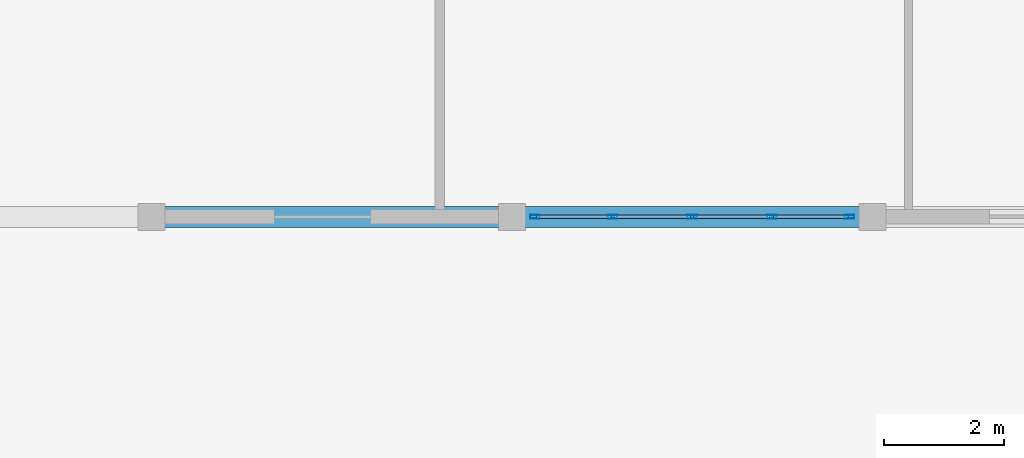
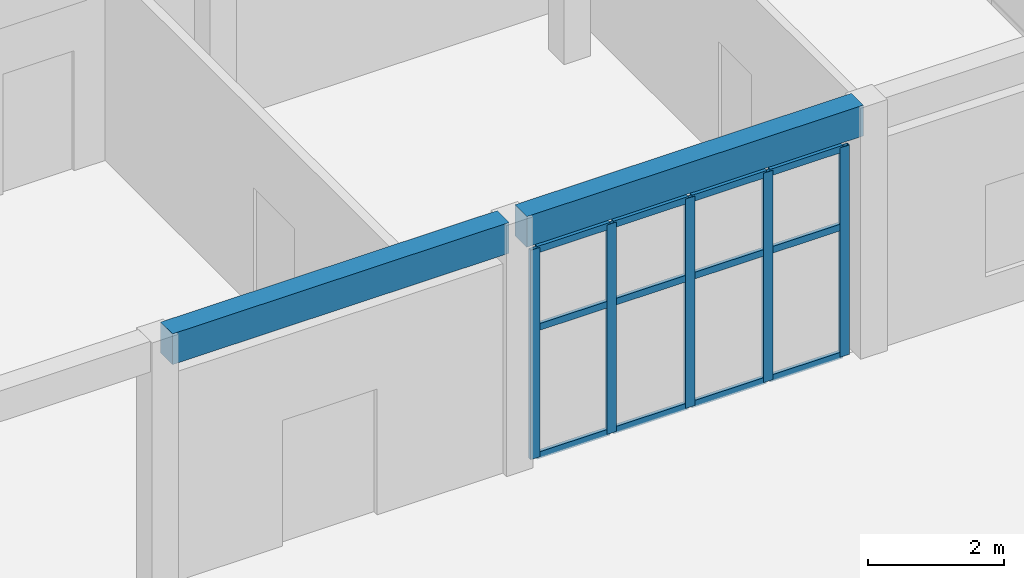
# One storey, part 45 of 132: 17 members, 2 beams, 1 element without a shape of its own.
"""IFC4 building model written with IfcOpenShell, lengths in metres."""

from ifc_helpers import new_model, si_unit, direction, frame, origin, origin_2d, place, context, subcontext, project, spatial, rectangle, hollow_rectangle, extrude, material, material_profile, profile_set, type_object, element, aggregate, save


model = new_model("IFC4")

# Units and contexts
model_context = context("Model", 3, precision=1e-05, world=origin(), true_north=direction((0.0, 1.0)))
body_context = subcontext(model_context, "Body", "Model", "MODEL_VIEW")
ifc_project = project(units=[si_unit("LENGTHUNIT", "METRE"), si_unit("AREAUNIT", "SQUARE_METRE"), si_unit("VOLUMEUNIT", "CUBIC_METRE"), si_unit("PLANEANGLEUNIT", "RADIAN"), si_unit("MASSUNIT", "GRAM", prefix="KILO")], contexts=[model_context])

# Site, building, storey
site_placement = place(None, origin())
site = spatial("IfcSite", under=ifc_project, at=site_placement, CompositionType="ELEMENT")
building_placement = place(site_placement, origin())
building = spatial("IfcBuilding", under=site, at=building_placement, Name="Tanwirah Colonnade Gardens", CompositionType="ELEMENT")
storey_placement = place(building_placement, origin())
storey = spatial("IfcBuildingStorey", under=building, at=storey_placement, Name="L00", CompositionType="ELEMENT", Elevation=0.0)

# Beams
ifc_material_1 = material(Name="Precast concrete C40/50", Category="concrete")
ifc_material_profile_1 = material_profile(ifc_material_1, rectangle(XDim=0.35009765625, YDim=0.550048828125, at=origin_2d()), Name="PC-BM 350x550")
ifc_profile_set_1 = profile_set([ifc_material_profile_1], Name="Precast concrete C40/50")
beam_type = type_object("IfcBeamType", Name="BM-PC350A", PredefinedType="BEAM", material=ifc_profile_set_1)
for number, where, z_axis, x_axis, name in (
    (1, (90.14990234375, 92.0, 4.219970703125), (1.0, 0.0, 0.0), (0.0, 1.0, 0.0), "Nursery L00 Beam X-2.0"),
    (2, (96.14990234375, 92.0, 4.219970703125), (1.0, 0.0, 0.0), (0.0, 1.0, 0.0), "Nursery L00 Beam X-3.0"),
):
    element("IfcBeam", number, at=place(storey_placement, frame(where, z_axis=z_axis, x_axis=x_axis)), inside=storey, type_object=beam_type, Name=name, PredefinedType="BEAM", context=body_context, shape_type="SweptSolid", body=[
        extrude(rectangle(XDim=0.35009765625, YDim=0.550048828125, at=origin_2d()), origin(), (0.0, 0.0, 1.0), 5.7001953125),
    ])

# Curtain wall, members
ifc_material_2 = material(Name="Bronze-anodised aluminium and solar-control low-E glass", Category="aluminium")
curtain_wall_type = type_object("IfcCurtainWallType", Name="CW-NUR", PredefinedType="NOTDEFINED", material=ifc_material_2)
curtain_wall_placement = place(storey_placement, origin())
curtain_wall = element("IfcCurtainWall", 3, at=curtain_wall_placement, inside=storey, type_object=curtain_wall_type, Name="Curtain Wall CW-NUR-L00-S-3", PredefinedType="NOTDEFINED")
ifc_material_3 = material(Name="Bronze-anodised aluminium", Category="aluminium")
ifc_material_profile_2 = material_profile(ifc_material_3, hollow_rectangle(XDim=0.06005859375, YDim=0.159912109375, WallThickness=0.00390625, at=origin_2d()), Name="CW-MUL 60x160x4")
ifc_profile_set_2 = profile_set([ifc_material_profile_2], Name="Bronze-anodised aluminium")
member_type_1 = type_object("IfcMemberType", Name="CWM-60x160", PredefinedType="MULLION", material=ifc_profile_set_2)
member_1_placement = place(storey_placement, frame((96.3798828125, 92.0, 0.0), z_axis=(0.0, 0.0, 1.0), x_axis=(0.0, 1.0, 0.0)))
member_1 = element("IfcMember", 4, at=member_1_placement, type_object=member_type_1, Name="CW-NUR mullion 1", PredefinedType="MULLION", context=body_context, shape_type="SweptSolid", body=[
    extrude(hollow_rectangle(XDim=0.06005859375, YDim=0.159912109375, WallThickness=0.00390625, at=origin_2d()), origin(), (0.0, 0.0, 1.0), 3.75),
])
member_2_placement = place(storey_placement, frame((97.675048828125, 92.0, 0.0), z_axis=(0.0, 0.0, 1.0), x_axis=(0.0, 1.0, 0.0)))
member_2 = element("IfcMember", 5, at=member_2_placement, type_object=member_type_1, Name="CW-NUR mullion 2", PredefinedType="MULLION", context=body_context, shape_type="SweptSolid", body=[
    extrude(hollow_rectangle(XDim=0.06005859375, YDim=0.159912109375, WallThickness=0.00390625, at=origin_2d()), origin(), (0.0, 0.0, 1.0), 3.75),
])
member_3_placement = place(storey_placement, frame((99.0, 92.0, 0.0), z_axis=(0.0, 0.0, 1.0), x_axis=(0.0, 1.0, 0.0)))
member_3 = element("IfcMember", 6, at=member_3_placement, type_object=member_type_1, Name="CW-NUR mullion 3", PredefinedType="MULLION", context=body_context, shape_type="SweptSolid", body=[
    extrude(hollow_rectangle(XDim=0.06005859375, YDim=0.159912109375, WallThickness=0.00390625, at=origin_2d()), origin(), (0.0, 0.0, 1.0), 3.75),
])
member_4_placement = place(storey_placement, frame((100.324951171875, 92.0, 0.0), z_axis=(0.0, 0.0, 1.0), x_axis=(0.0, 1.0, 0.0)))
member_4 = element("IfcMember", 7, at=member_4_placement, type_object=member_type_1, Name="CW-NUR mullion 4", PredefinedType="MULLION", context=body_context, shape_type="SweptSolid", body=[
    extrude(hollow_rectangle(XDim=0.06005859375, YDim=0.159912109375, WallThickness=0.00390625, at=origin_2d()), origin(), (0.0, 0.0, 1.0), 3.75),
])
member_5_placement = place(storey_placement, frame((101.6201171875, 92.0, 0.0), z_axis=(0.0, 0.0, 1.0), x_axis=(0.0, 1.0, 0.0)))
member_5 = element("IfcMember", 8, at=member_5_placement, type_object=member_type_1, Name="CW-NUR mullion 5", PredefinedType="MULLION", context=body_context, shape_type="SweptSolid", body=[
    extrude(hollow_rectangle(XDim=0.06005859375, YDim=0.159912109375, WallThickness=0.00390625, at=origin_2d()), origin(), (0.0, 0.0, 1.0), 3.75),
])
ifc_material_profile_3 = material_profile(ifc_material_3, hollow_rectangle(XDim=0.06005859375, YDim=0.1201171875, WallThickness=0.00390625, at=origin_2d()), Name="CW-TRN 60x120x4")
ifc_profile_set_3 = profile_set([ifc_material_profile_3], Name="Bronze-anodised aluminium")
member_type_2 = type_object("IfcMemberType", Name="CWT-60x120", PredefinedType="USERDEFINED", material=ifc_profile_set_3)
member_6_placement = place(storey_placement, frame((96.409912109375, 92.0, 0.030029296875), z_axis=(1.0, 0.0, 0.0), x_axis=(0.0, 1.0, 0.0)))
member_6 = element("IfcMember", 9, at=member_6_placement, type_object=member_type_2, Name="CW-NUR transom 1.1", ObjectType="TRANSOM", PredefinedType="USERDEFINED", context=body_context, shape_type="SweptSolid", body=[
    extrude(hollow_rectangle(XDim=0.06005859375, YDim=0.1201171875, WallThickness=0.00390625, at=origin_2d()), origin(), (0.0, 0.0, 1.0), 1.235107421875),
])
member_7_placement = place(storey_placement, frame((96.409912109375, 92.0, 2.324951171875), z_axis=(1.0, 0.0, 0.0), x_axis=(0.0, 1.0, 0.0)))
member_7 = element("IfcMember", 10, at=member_7_placement, type_object=member_type_2, Name="CW-NUR transom 1.2", ObjectType="TRANSOM", PredefinedType="USERDEFINED", context=body_context, shape_type="SweptSolid", body=[
    extrude(hollow_rectangle(XDim=0.06005859375, YDim=0.1201171875, WallThickness=0.00390625, at=origin_2d()), origin(), (0.0, 0.0, 1.0), 1.235107421875),
])
member_8_placement = place(storey_placement, frame((96.409912109375, 92.0, 3.719970703125), z_axis=(1.0, 0.0, 0.0), x_axis=(0.0, 1.0, 0.0)))
member_8 = element("IfcMember", 11, at=member_8_placement, type_object=member_type_2, Name="CW-NUR transom 1.3", ObjectType="TRANSOM", PredefinedType="USERDEFINED", context=body_context, shape_type="SweptSolid", body=[
    extrude(hollow_rectangle(XDim=0.06005859375, YDim=0.1201171875, WallThickness=0.00390625, at=origin_2d()), origin(), (0.0, 0.0, 1.0), 1.235107421875),
])
member_9_placement = place(storey_placement, frame((97.705078125, 92.0, 0.030029296875), z_axis=(1.0, 0.0, 0.0), x_axis=(0.0, 1.0, 0.0)))
member_9 = element("IfcMember", 12, at=member_9_placement, type_object=member_type_2, Name="CW-NUR transom 2.1", ObjectType="TRANSOM", PredefinedType="USERDEFINED", context=body_context, shape_type="SweptSolid", body=[
    extrude(hollow_rectangle(XDim=0.06005859375, YDim=0.1201171875, WallThickness=0.00390625, at=origin_2d()), origin(), (0.0, 0.0, 1.0), 1.264892578125),
])
member_10_placement = place(storey_placement, frame((97.705078125, 92.0, 2.324951171875), z_axis=(1.0, 0.0, 0.0), x_axis=(0.0, 1.0, 0.0)))
member_10 = element("IfcMember", 13, at=member_10_placement, type_object=member_type_2, Name="CW-NUR transom 2.2", ObjectType="TRANSOM", PredefinedType="USERDEFINED", context=body_context, shape_type="SweptSolid", body=[
    extrude(hollow_rectangle(XDim=0.06005859375, YDim=0.1201171875, WallThickness=0.00390625, at=origin_2d()), origin(), (0.0, 0.0, 1.0), 1.264892578125),
])
member_11_placement = place(storey_placement, frame((97.705078125, 92.0, 3.719970703125), z_axis=(1.0, 0.0, 0.0), x_axis=(0.0, 1.0, 0.0)))
member_11 = element("IfcMember", 14, at=member_11_placement, type_object=member_type_2, Name="CW-NUR transom 2.3", ObjectType="TRANSOM", PredefinedType="USERDEFINED", context=body_context, shape_type="SweptSolid", body=[
    extrude(hollow_rectangle(XDim=0.06005859375, YDim=0.1201171875, WallThickness=0.00390625, at=origin_2d()), origin(), (0.0, 0.0, 1.0), 1.264892578125),
])
member_12_placement = place(storey_placement, frame((99.030029296875, 92.0, 0.030029296875), z_axis=(1.0, 0.0, 0.0), x_axis=(0.0, 1.0, 0.0)))
member_12 = element("IfcMember", 15, at=member_12_placement, type_object=member_type_2, Name="CW-NUR transom 3.1", ObjectType="TRANSOM", PredefinedType="USERDEFINED", context=body_context, shape_type="SweptSolid", body=[
    extrude(hollow_rectangle(XDim=0.06005859375, YDim=0.1201171875, WallThickness=0.00390625, at=origin_2d()), origin(), (0.0, 0.0, 1.0), 1.264892578125),
])
member_13_placement = place(storey_placement, frame((99.030029296875, 92.0, 2.324951171875), z_axis=(1.0, 0.0, 0.0), x_axis=(0.0, 1.0, 0.0)))
member_13 = element("IfcMember", 16, at=member_13_placement, type_object=member_type_2, Name="CW-NUR transom 3.2", ObjectType="TRANSOM", PredefinedType="USERDEFINED", context=body_context, shape_type="SweptSolid", body=[
    extrude(hollow_rectangle(XDim=0.06005859375, YDim=0.1201171875, WallThickness=0.00390625, at=origin_2d()), origin(), (0.0, 0.0, 1.0), 1.264892578125),
])
member_14_placement = place(storey_placement, frame((99.030029296875, 92.0, 3.719970703125), z_axis=(1.0, 0.0, 0.0), x_axis=(0.0, 1.0, 0.0)))
member_14 = element("IfcMember", 17, at=member_14_placement, type_object=member_type_2, Name="CW-NUR transom 3.3", ObjectType="TRANSOM", PredefinedType="USERDEFINED", context=body_context, shape_type="SweptSolid", body=[
    extrude(hollow_rectangle(XDim=0.06005859375, YDim=0.1201171875, WallThickness=0.00390625, at=origin_2d()), origin(), (0.0, 0.0, 1.0), 1.264892578125),
])
member_15_placement = place(storey_placement, frame((100.35498046875, 92.0, 0.030029296875), z_axis=(1.0, 0.0, 0.0), x_axis=(0.0, 1.0, 0.0)))
member_15 = element("IfcMember", 18, at=member_15_placement, type_object=member_type_2, Name="CW-NUR transom 4.1", ObjectType="TRANSOM", PredefinedType="USERDEFINED", context=body_context, shape_type="SweptSolid", body=[
    extrude(hollow_rectangle(XDim=0.06005859375, YDim=0.1201171875, WallThickness=0.00390625, at=origin_2d()), origin(), (0.0, 0.0, 1.0), 1.235107421875),
])
member_16_placement = place(storey_placement, frame((100.35498046875, 92.0, 2.324951171875), z_axis=(1.0, 0.0, 0.0), x_axis=(0.0, 1.0, 0.0)))
member_16 = element("IfcMember", 19, at=member_16_placement, type_object=member_type_2, Name="CW-NUR transom 4.2", ObjectType="TRANSOM", PredefinedType="USERDEFINED", context=body_context, shape_type="SweptSolid", body=[
    extrude(hollow_rectangle(XDim=0.06005859375, YDim=0.1201171875, WallThickness=0.00390625, at=origin_2d()), origin(), (0.0, 0.0, 1.0), 1.235107421875),
])
member_17_placement = place(storey_placement, frame((100.35498046875, 92.0, 3.719970703125), z_axis=(1.0, 0.0, 0.0), x_axis=(0.0, 1.0, 0.0)))
member_17 = element("IfcMember", 20, at=member_17_placement, type_object=member_type_2, Name="CW-NUR transom 4.3", ObjectType="TRANSOM", PredefinedType="USERDEFINED", context=body_context, shape_type="SweptSolid", body=[
    extrude(hollow_rectangle(XDim=0.06005859375, YDim=0.1201171875, WallThickness=0.00390625, at=origin_2d()), origin(), (0.0, 0.0, 1.0), 1.235107421875),
])
aggregate(curtain_wall, [member_1, member_2, member_3, member_4, member_5, member_6, member_7, member_8, member_9, member_10, member_11, member_12, member_13, member_14, member_15, member_16, member_17])

save(model, "model.ifc")
